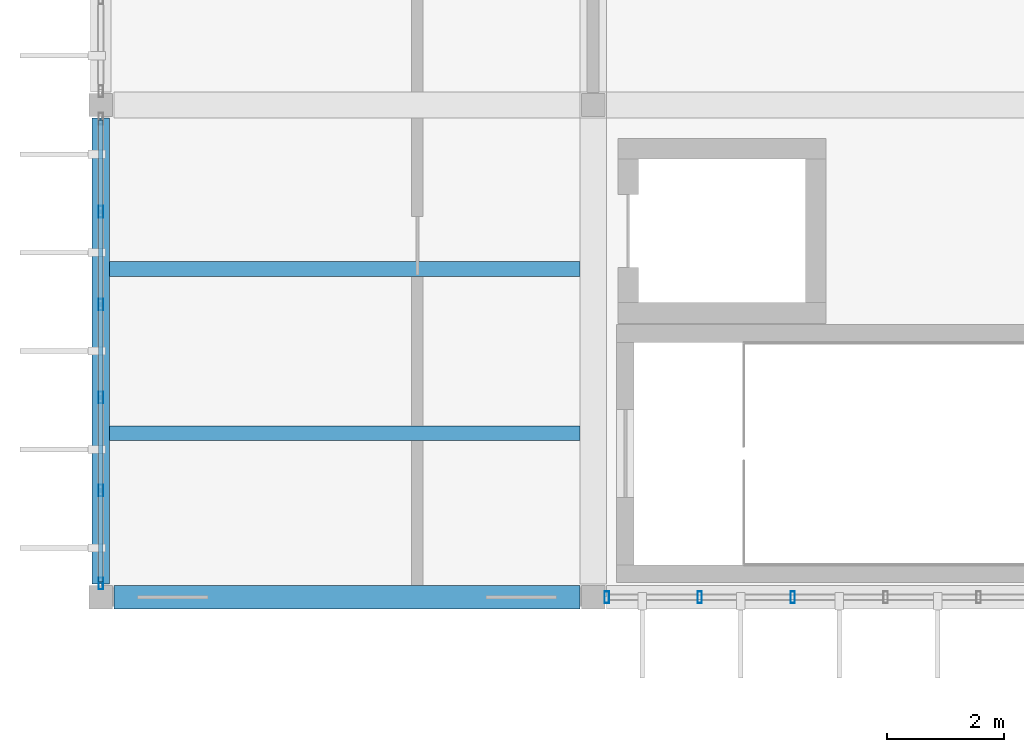
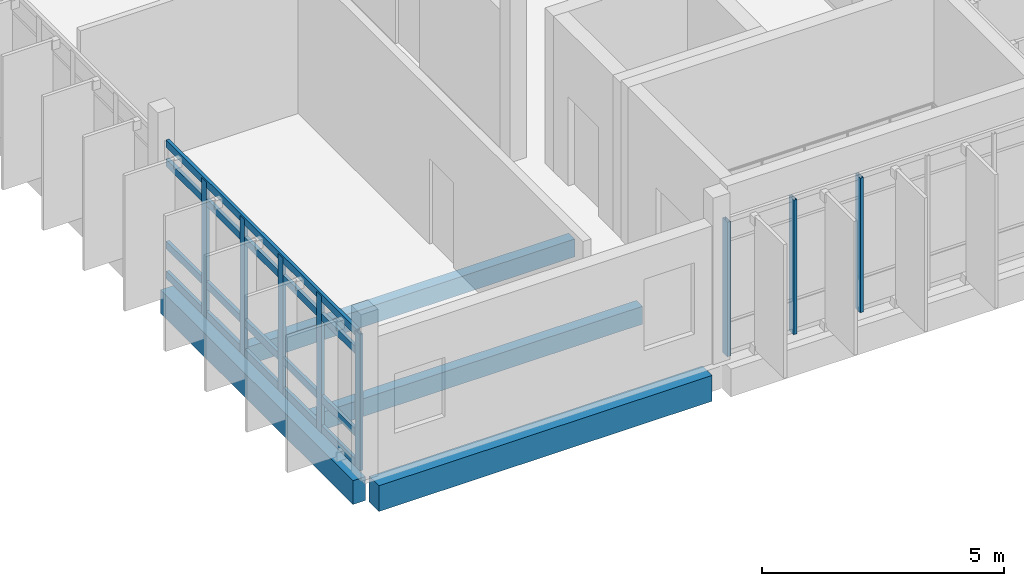
# One storey, part 3 of 41: 12 members, 4 beams, 2 elements without a shape of their own.
"""IFC4 building model written with IfcOpenShell, lengths in metres."""

from ifc_helpers import new_model, si_unit, direction, frame, origin, origin_2d, place, context, subcontext, project, spatial, rectangle, hollow_rectangle, extrude, material, layer, layer_set, material_profile, profile_set, type_object, element, aggregate, save


model = new_model("IFC4")

# Units and contexts
model_context = context("Model", 3, precision=1e-05, world=origin(), true_north=direction((0.0, 1.0)))
body_context = subcontext(model_context, "Body", "Model", "MODEL_VIEW")
ifc_project = project(units=[si_unit("LENGTHUNIT", "METRE"), si_unit("AREAUNIT", "SQUARE_METRE"), si_unit("VOLUMEUNIT", "CUBIC_METRE"), si_unit("PLANEANGLEUNIT", "RADIAN"), si_unit("MASSUNIT", "GRAM", prefix="KILO")], contexts=[model_context])

# Site, building, storey
site_placement = place(None, origin())
site = spatial("IfcSite", under=ifc_project, at=site_placement, CompositionType="ELEMENT")
building_placement = place(site_placement, origin())
building = spatial("IfcBuilding", under=site, at=building_placement, Name="Vireocrest Preparatory School", CompositionType="ELEMENT")
storey_placement = place(building_placement, frame((0.0, 0.0, 21.60009765625)))
storey = spatial("IfcBuildingStorey", under=building, at=storey_placement, Name="L05", CompositionType="ELEMENT", Elevation=21.60009765625)

# Curtain wall, members
ifc_material_1 = material(Name="Thermally broken aluminium EN AW-6063-T6", Category="aluminium")
ifc_layer_1 = layer(ifc_material_1, 0.179931640625)
ifc_layer_set_1 = layer_set([ifc_layer_1], Name="Thermally broken aluminium EN AW-6063-T6")
curtain_wall_type_1 = type_object("IfcCurtainWallType", Name="Side Facade Curtain Wall 9000x4200", PredefinedType="USERDEFINED", material=ifc_layer_set_1)
curtain_wall_1_placement = place(storey_placement, origin())
curtain_wall_1 = element("IfcCurtainWall", 1, at=curtain_wall_1_placement, inside=storey, type_object=curtain_wall_type_1, Name="Curtain Wall CW07 CW_L05_CW07_0506_0438_216", ObjectType="CURTAIN WALL", PredefinedType="USERDEFINED")
ifc_material_profile_1 = material_profile(ifc_material_1, hollow_rectangle(XDim=0.074951171875, YDim=0.199951171875, WallThickness=0.0048828125, at=origin_2d()), Name="ALU 75x200x5")
ifc_profile_set_1 = profile_set([ifc_material_profile_1], Name="Thermally broken aluminium EN AW-6063-T6")
member_type_1 = type_object("IfcMemberType", Name="CW Mullion 75x200x5", PredefinedType="MULLION", material=ifc_profile_set_1)
member_1_placement = place(storey_placement, frame((50.635009765625, 43.800048828125, 0.0), z_axis=(0.0, 0.0, 1.0), x_axis=(1.0, 0.0, 0.0)))
member_1 = element("IfcMember", 2, at=member_1_placement, type_object=member_type_1, Name="CW Mullion ML3 CW_L05_CW07_0506_0438_216-1", PredefinedType="MULLION", context=body_context, shape_type="SweptSolid", body=[
    extrude(hollow_rectangle(XDim=0.074951171875, YDim=0.199951171875, WallThickness=0.0048828125, at=origin_2d()), origin(), (0.0, 0.0, 1.0), 3.39501953125),
])
member_2_placement = place(storey_placement, frame((52.220947265625, 43.800048828125, 0.0), z_axis=(0.0, 0.0, 1.0), x_axis=(1.0, 0.0, 0.0)))
member_2 = element("IfcMember", 3, at=member_2_placement, type_object=member_type_1, Name="CW Mullion ML3 CW_L05_CW07_0506_0438_216-2", PredefinedType="MULLION", context=body_context, shape_type="SweptSolid", body=[
    extrude(hollow_rectangle(XDim=0.074951171875, YDim=0.199951171875, WallThickness=0.0048828125, at=origin_2d()), origin(), (0.0, 0.0, 1.0), 3.39501953125),
])
member_3_placement = place(storey_placement, frame((53.806884765625, 43.800048828125, 0.0), z_axis=(0.0, 0.0, 1.0), x_axis=(1.0, 0.0, 0.0)))
member_3 = element("IfcMember", 4, at=member_3_placement, type_object=member_type_1, Name="CW Mullion ML3 CW_L05_CW07_0506_0438_216-3", PredefinedType="MULLION", context=body_context, shape_type="SweptSolid", body=[
    extrude(hollow_rectangle(XDim=0.074951171875, YDim=0.199951171875, WallThickness=0.0048828125, at=origin_2d()), origin(), (0.0, 0.0, 1.0), 3.39501953125),
])
aggregate(curtain_wall_1, [member_1, member_2, member_3])

ifc_layer_2 = layer(ifc_material_1, 0.179931640625)
ifc_layer_set_2 = layer_set([ifc_layer_2], Name="Thermally broken aluminium EN AW-6063-T6")
curtain_wall_type_2 = type_object("IfcCurtainWallType", Name="Teaching Fin Curtain Wall 8400x4200", PredefinedType="USERDEFINED", material=ifc_layer_set_2)
curtain_wall_2_placement = place(storey_placement, origin())
curtain_wall_2 = element("IfcCurtainWall", 5, at=curtain_wall_2_placement, inside=storey, type_object=curtain_wall_type_2, Name="Curtain Wall CW03 CW_L05_CW03_0420_0440_216", ObjectType="CURTAIN WALL", PredefinedType="USERDEFINED")
member_4_placement = place(storey_placement, frame((42.0, 44.034912109375, 0.0), z_axis=(0.0, 0.0, 1.0), x_axis=(1.0, 0.0, 0.0)))
member_4 = element("IfcMember", 6, at=member_4_placement, type_object=member_type_1, Name="CW Mullion ML3 CW_L05_CW03_0420_0440_216-1", PredefinedType="MULLION", context=body_context, shape_type="SweptSolid", body=[
    extrude(hollow_rectangle(XDim=0.074951171875, YDim=0.199951171875, WallThickness=0.0048828125, at=origin_2d()), origin(), (0.0, 0.0, 1.0), 3.44482421875),
])
member_5_placement = place(storey_placement, frame((42.0, 45.62109375, 0.0), z_axis=(0.0, 0.0, 1.0), x_axis=(1.0, 0.0, 0.0)))
member_5 = element("IfcMember", 7, at=member_5_placement, type_object=member_type_1, Name="CW Mullion ML3 CW_L05_CW03_0420_0440_216-2", PredefinedType="MULLION", context=body_context, shape_type="SweptSolid", body=[
    extrude(hollow_rectangle(XDim=0.074951171875, YDim=0.199951171875, WallThickness=0.0048828125, at=origin_2d()), origin(), (0.0, 0.0, 1.0), 3.44482421875),
])
member_6_placement = place(storey_placement, frame((42.0, 47.20703125, 0.0), z_axis=(0.0, 0.0, 1.0), x_axis=(1.0, 0.0, 0.0)))
member_6 = element("IfcMember", 8, at=member_6_placement, type_object=member_type_1, Name="CW Mullion ML3 CW_L05_CW03_0420_0440_216-3", PredefinedType="MULLION", context=body_context, shape_type="SweptSolid", body=[
    extrude(hollow_rectangle(XDim=0.074951171875, YDim=0.199951171875, WallThickness=0.0048828125, at=origin_2d()), origin(), (0.0, 0.0, 1.0), 3.44482421875),
])
member_7_placement = place(storey_placement, frame((42.0, 48.79296875, 0.0), z_axis=(0.0, 0.0, 1.0), x_axis=(1.0, 0.0, 0.0)))
member_7 = element("IfcMember", 9, at=member_7_placement, type_object=member_type_1, Name="CW Mullion ML3 CW_L05_CW03_0420_0440_216-4", PredefinedType="MULLION", context=body_context, shape_type="SweptSolid", body=[
    extrude(hollow_rectangle(XDim=0.074951171875, YDim=0.199951171875, WallThickness=0.0048828125, at=origin_2d()), origin(), (0.0, 0.0, 1.0), 3.44482421875),
])
member_8_placement = place(storey_placement, frame((42.0, 50.37890625, 0.0), z_axis=(0.0, 0.0, 1.0), x_axis=(1.0, 0.0, 0.0)))
member_8 = element("IfcMember", 10, at=member_8_placement, type_object=member_type_1, Name="CW Mullion ML3 CW_L05_CW03_0420_0440_216-5", PredefinedType="MULLION", context=body_context, shape_type="SweptSolid", body=[
    extrude(hollow_rectangle(XDim=0.074951171875, YDim=0.199951171875, WallThickness=0.0048828125, at=origin_2d()), origin(), (0.0, 0.0, 1.0), 3.44482421875),
])
ifc_material_profile_2 = material_profile(ifc_material_1, hollow_rectangle(XDim=0.074951171875, YDim=0.18994140625, WallThickness=0.00390625, at=origin_2d()), Name="ALU 75x190x4")
ifc_profile_set_2 = profile_set([ifc_material_profile_2], Name="Thermally broken aluminium EN AW-6063-T6")
member_type_2 = type_object("IfcMemberType", Name="CW Transom 75x190x4", PredefinedType="USERDEFINED", material=ifc_profile_set_2)
member_9_placement = place(storey_placement, frame((42.0, 44.06005859375, 0.094970703125), z_axis=(0.0, 1.0, 0.0), x_axis=(-1.0, 0.0, 0.0)))
member_9 = element("IfcMember", 11, at=member_9_placement, type_object=member_type_2, Name="CW Transom TR3 CW_L05_CW03_0420_0440_216-1", ObjectType="TRANSOM", PredefinedType="USERDEFINED", context=body_context, shape_type="SweptSolid", body=[
    extrude(hollow_rectangle(XDim=0.074951171875, YDim=0.18994140625, WallThickness=0.00390625, at=origin_2d()), origin(), (0.0, 0.0, 1.0), 7.8798828125),
])
member_10_placement = place(storey_placement, frame((42.0, 44.06005859375, 0.849853515625), z_axis=(0.0, 1.0, 0.0), x_axis=(-1.0, 0.0, 0.0)))
member_10 = element("IfcMember", 12, at=member_10_placement, type_object=member_type_2, Name="CW Transom TR3 CW_L05_CW03_0420_0440_216-2", ObjectType="TRANSOM", PredefinedType="USERDEFINED", context=body_context, shape_type="SweptSolid", body=[
    extrude(hollow_rectangle(XDim=0.074951171875, YDim=0.18994140625, WallThickness=0.00390625, at=origin_2d()), origin(), (0.0, 0.0, 1.0), 7.8798828125),
])
member_11_placement = place(storey_placement, frame((42.0, 44.06005859375, 2.929931640625), z_axis=(0.0, 1.0, 0.0), x_axis=(-1.0, 0.0, 0.0)))
member_11 = element("IfcMember", 13, at=member_11_placement, type_object=member_type_2, Name="CW Transom TR3 CW_L05_CW03_0420_0440_216-3", ObjectType="TRANSOM", PredefinedType="USERDEFINED", context=body_context, shape_type="SweptSolid", body=[
    extrude(hollow_rectangle(XDim=0.074951171875, YDim=0.18994140625, WallThickness=0.00390625, at=origin_2d()), origin(), (0.0, 0.0, 1.0), 7.8798828125),
])
member_12_placement = place(storey_placement, frame((42.0, 44.06005859375, 3.40478515625), z_axis=(0.0, 1.0, 0.0), x_axis=(-1.0, 0.0, 0.0)))
member_12 = element("IfcMember", 14, at=member_12_placement, type_object=member_type_2, Name="CW Transom TR3 CW_L05_CW03_0420_0440_216-4", ObjectType="TRANSOM", PredefinedType="USERDEFINED", context=body_context, shape_type="SweptSolid", body=[
    extrude(hollow_rectangle(XDim=0.074951171875, YDim=0.18994140625, WallThickness=0.00390625, at=origin_2d()), origin(), (0.0, 0.0, 1.0), 7.8798828125),
])
aggregate(curtain_wall_2, [member_4, member_5, member_6, member_7, member_8, member_9, member_10, member_11, member_12])

# Beams
ifc_material_2 = material(Name="Concrete 40 MPa", Category="concrete")
ifc_material_profile_3 = material_profile(ifc_material_2, rectangle(XDim=0.300048828125, YDim=0.60009765625, at=origin_2d()), Name="RC 300x600")
ifc_profile_set_3 = profile_set([ifc_material_profile_3], Name="Concrete 40 MPa")
beam_type_1 = type_object("IfcBeamType", Name="RC Classroom Beam 300x600", PredefinedType="BEAM", material=ifc_profile_set_3)
beam_1_placement = place(storey_placement, frame((42.0, 44.02490234375, -0.56005859375), z_axis=(0.0, 1.0, 0.0), x_axis=(-1.0, 0.0, 0.0)))
element("IfcBeam", 15, at=beam_1_placement, inside=storey, type_object=beam_type_1, Name="Primary Girder B03 L05-1562", PredefinedType="BEAM", context=body_context, shape_type="SweptSolid", body=[
    extrude(rectangle(XDim=0.300048828125, YDim=0.60009765625, at=origin_2d()), origin(), (0.0, 0.0, 1.0), 7.9501953125),
])
ifc_material_profile_4 = material_profile(ifc_material_2, rectangle(XDim=0.39990234375, YDim=0.64990234375, at=origin_2d()), Name="RC 400x650")
ifc_profile_set_4 = profile_set([ifc_material_profile_4], Name="Concrete 40 MPa")
beam_type_2 = type_object("IfcBeamType", Name="RC Laboratory Girder 400x650", PredefinedType="BEAM", material=ifc_profile_set_4)
beam_2_placement = place(storey_placement, frame((42.22509765625, 43.800048828125, -0.585205078125), z_axis=(1.0, 0.0, 0.0), x_axis=(0.0, 1.0, 0.0)))
element("IfcBeam", 16, at=beam_2_placement, inside=storey, type_object=beam_type_2, Name="Primary Girder B07 L05-1517", PredefinedType="BEAM", context=body_context, shape_type="SweptSolid", body=[
    extrude(rectangle(XDim=0.39990234375, YDim=0.64990234375, at=origin_2d()), origin(), (0.0, 0.0, 1.0), 7.949951171875),
])
ifc_material_profile_5 = material_profile(ifc_material_2, rectangle(XDim=0.25, YDim=0.449951171875, at=origin_2d()), Name="RC 250x450")
ifc_profile_set_5 = profile_set([ifc_material_profile_5], Name="Concrete 40 MPa")
beam_type_3 = type_object("IfcBeamType", Name="RC Secondary Floor Joist 250x450", PredefinedType="JOIST", material=ifc_profile_set_5)
for number, where, z_axis, x_axis, name in (
    (17, (42.14990234375, 46.60009765625, -0.485107421875), (1.0, 0.0, 0.0), (0.0, 1.0, 0.0), "Secondary Joist J01 L05-1613"),
    (18, (42.14990234375, 49.39990234375, -0.485107421875), (1.0, 0.0, 0.0), (0.0, 1.0, 0.0), "Secondary Joist J01 L05-1614"),
):
    element("IfcBeam", number, at=place(storey_placement, frame(where, z_axis=z_axis, x_axis=x_axis)), inside=storey, type_object=beam_type_3, Name=name, PredefinedType="JOIST", context=body_context, shape_type="SweptSolid", body=[
        extrude(rectangle(XDim=0.25, YDim=0.449951171875, at=origin_2d()), origin(), (0.0, 0.0, 1.0), 8.025146484375),
    ])

save(model, "model.ifc")
